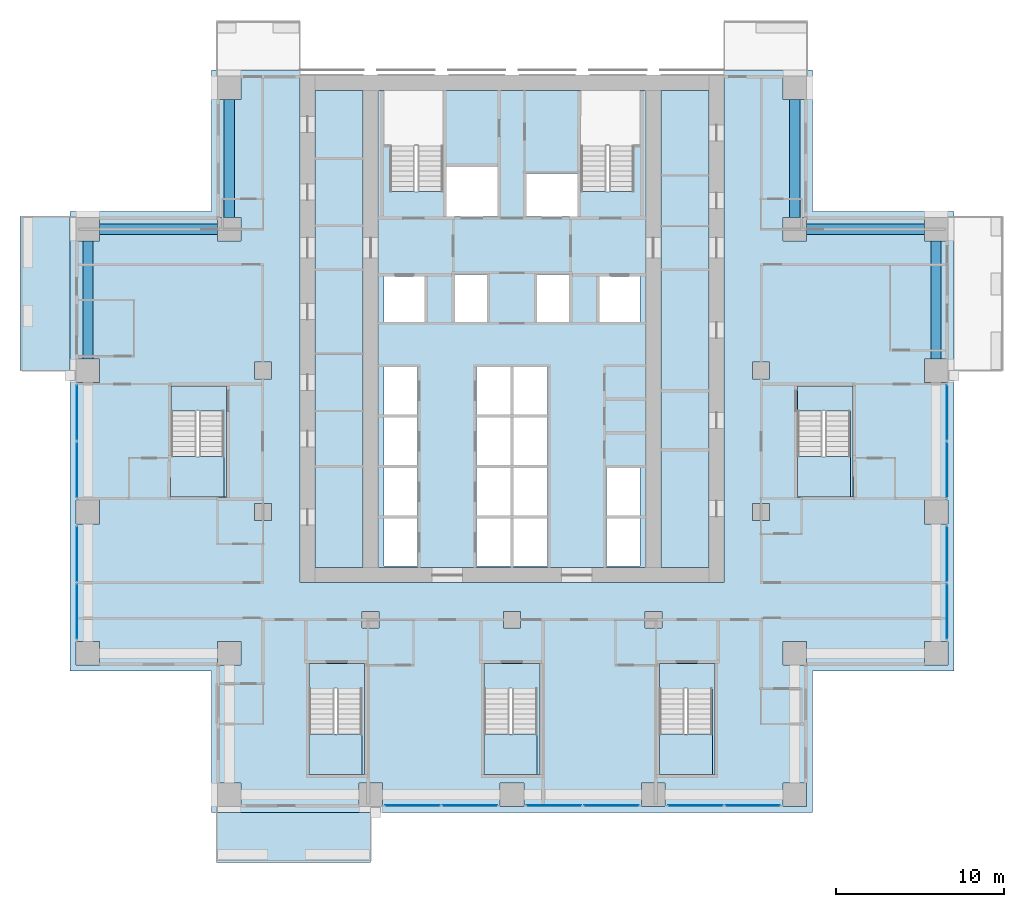
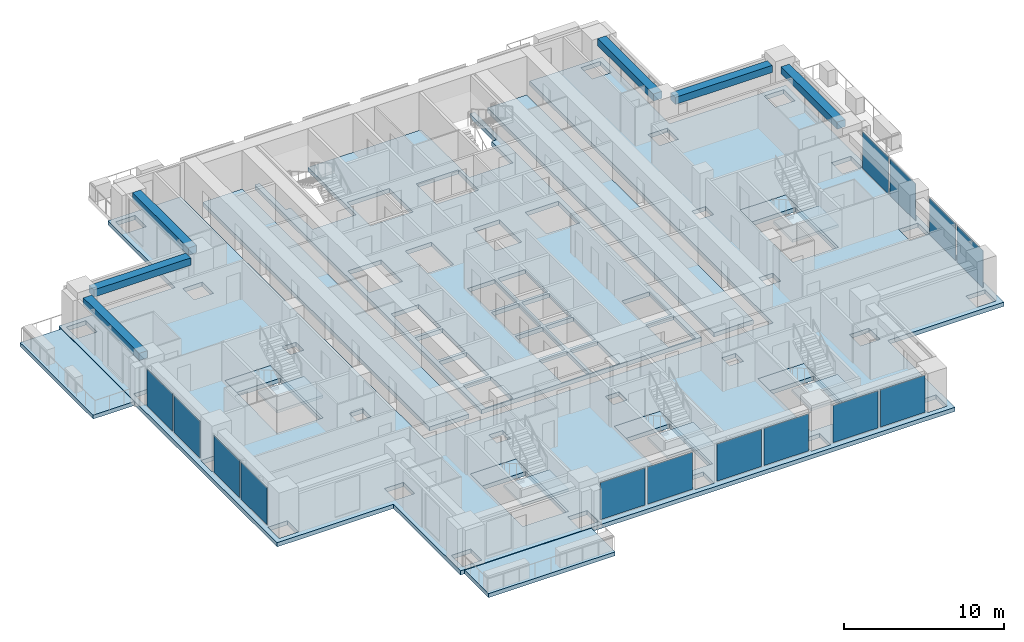
# One storey, part 5 of 16: 16 slabs, 14 plates, 6 beams, 12 elements without a shape of their own.
"""IFC4 building model written with IfcOpenShell, lengths in metres."""

from ifc_helpers import new_model, si_unit, direction, frame, origin, origin_2d, place, context, subcontext, project, spatial, polyline, rectangle, outline, extrude, material, layer, layer_set, material_profile, profile_set, type_object, element, aggregate, save


model = new_model("IFC4")

# Units and contexts
model_context = context("Model", 3, precision=1e-05, world=origin(), true_north=direction((0.0, 1.0)))
body_context = subcontext(model_context, "Body", "Model", "MODEL_VIEW")
ifc_project = project(units=[si_unit("LENGTHUNIT", "METRE"), si_unit("AREAUNIT", "SQUARE_METRE"), si_unit("VOLUMEUNIT", "CUBIC_METRE"), si_unit("PLANEANGLEUNIT", "RADIAN"), si_unit("MASSUNIT", "GRAM", prefix="KILO")], contexts=[model_context])

# Site, building, storey
site_placement = place(None, origin())
site = spatial("IfcSite", under=ifc_project, at=site_placement, CompositionType="ELEMENT")
building_placement = place(site_placement, origin())
building = spatial("IfcBuilding", under=site, at=building_placement, Name="Vermilion Ogive Tower", CompositionType="ELEMENT")
storey_placement = place(building_placement, frame((0.0, 0.0, 72.449951171875)))
storey = spatial("IfcBuildingStorey", under=building, at=storey_placement, Name="L17", CompositionType="ELEMENT", Elevation=72.449951171875)

# Beams
ifc_material_1 = material(Name="Concrete B45", Category="concrete")
ifc_material_profile = material_profile(ifc_material_1, rectangle(XDim=0.60009765625, YDim=0.550048828125, at=origin_2d()), Name="600 x 550")
ifc_profile_set = profile_set([ifc_material_profile], Name="Concrete B45")
beam_type = type_object("IfcBeamType", Name="Edge beam 600 x 550 B45", PredefinedType="BEAM", material=ifc_profile_set)
for number, where, z_axis, x_axis, name in (
    (1, (25.199951171875, 4.89990234375, 2.675048828125), (0.0, 1.0, 0.0), (-1.0, 0.0, 0.0), "L17-EB-9"),
    (2, (24.5, 12.60009765625, 2.675048828125), (-1.0, 0.0, 0.0), (0.0, -1.0, 0.0), "L17-EB-10"),
    (3, (16.800048828125, 13.300048828125, 2.675048828125), (0.0, 1.0, 0.0), (-1.0, 0.0, 0.0), "L17-EB-11"),
    (4, (-16.800048828125, 20.300048828125, 2.675048828125), (0.0, -1.0, 0.0), (1.0, 0.0, 0.0), "L17-EB-12"),
    (5, (-17.5, 12.60009765625, 2.675048828125), (-1.0, 0.0, 0.0), (0.0, -1.0, 0.0), "L17-EB-13"),
    (6, (-25.199951171875, 11.89990234375, 2.675048828125), (0.0, -1.0, 0.0), (1.0, 0.0, 0.0), "L17-EB-14"),
):
    element("IfcBeam", number, at=place(storey_placement, frame(where, z_axis=z_axis, x_axis=x_axis)), inside=storey, type_object=beam_type, Name=name, PredefinedType="BEAM", context=body_context, shape_type="SweptSolid", body=[
        extrude(rectangle(XDim=0.60009765625, YDim=0.550048828125, at=origin_2d()), origin(), (0.0, 0.0, 1.0), 7.0),
    ])

# Slabs
ifc_material_2 = material(Name="Concrete B40", Category="concrete")
ifc_layer_1 = layer(ifc_material_2, 0.300048828125)
ifc_layer_set_1 = layer_set([ifc_layer_1], Name="Balcony slab")
slab_type_1 = type_object("IfcSlabType", Name="Balcony slab", PredefinedType="FLOOR", material=ifc_layer_set_1)
slab_1_placement = place(storey_placement, frame((0.0, 0.0, -0.33984375)))
element("IfcSlab", 7, at=slab_1_placement, inside=storey, type_object=slab_type_1, Name="Balcony slab S01", PredefinedType="FLOOR", context=body_context, shape_type="SweptSolid", body=[
    extrude(outline(polyline([(-17.550048828125, -25.030029296875), (-8.39990234375, -25.030029296875), (-8.39990234375, -22.050048828125), (-17.550048828125, -22.050048828125), (-17.550048828125, -25.030029296875)])), origin(), (0.0, 0.0, 1.0), 0.2998046875),
])
slab_2_placement = place(storey_placement, frame((0.0, 0.0, -0.33984375)))
element("IfcSlab", 8, at=slab_2_placement, inside=storey, type_object=slab_type_1, Name="Balcony slab W01", PredefinedType="FLOOR", context=body_context, shape_type="SweptSolid", body=[
    extrude(outline(polyline([(-29.22998046875, 13.35009765625), (-29.22998046875, 4.199951171875), (-26.25, 4.199951171875), (-26.25, 13.35009765625), (-29.22998046875, 13.35009765625)])), origin(), (0.0, 0.0, 1.0), 0.2998046875),
])

# Curtain wall, plates
ifc_material_3 = material(Name="Low-iron laminated glazing in aluminium frame", Category="aluminium")
curtain_wall_type = type_object("IfcCurtainWallType", Name="Curtain wall CW7", PredefinedType="NOTDEFINED", material=ifc_material_3)
curtain_wall_1_placement = place(storey_placement, origin())
curtain_wall_1 = element("IfcCurtainWall", 9, at=curtain_wall_1_placement, inside=storey, type_object=curtain_wall_type, Name="Glazed skin S2", PredefinedType="NOTDEFINED")
ifc_material_4 = material(Name="Low-iron laminated glazing in aluminium frame", Category="aluminium")
ifc_layer_2 = layer(ifc_material_4, 0.031982421875)
ifc_layer_set_2 = layer_set([ifc_layer_2], Name="CW7 glazing panel 32")
plate_type = type_object("IfcPlateType", Name="CW7 glazing panel 32", PredefinedType="CURTAIN_PANEL", material=ifc_layer_set_2)
plate_1_placement = place(storey_placement, frame((-5.905029296875, -21.64990234375, 0.06005859375), z_axis=(0.0, 0.0, 1.0), x_axis=(1.0, 0.0, 0.0)))
plate_1 = element("IfcPlate", 10, at=plate_1_placement, type_object=plate_type, Name="CW7-S2 panel 1.1", PredefinedType="CURTAIN_PANEL", context=body_context, shape_type="SweptSolid", body=[
    extrude(rectangle(XDim=3.22998046875, YDim=0.031982421875, at=origin_2d()), origin(), (0.0, 0.0, 1.0), 2.830078125),
])
plate_2_placement = place(storey_placement, frame((-2.4951171875, -21.64990234375, 0.06005859375), z_axis=(0.0, 0.0, 1.0), x_axis=(1.0, 0.0, 0.0)))
plate_2 = element("IfcPlate", 11, at=plate_2_placement, type_object=plate_type, Name="CW7-S2 panel 2.1", PredefinedType="CURTAIN_PANEL", context=body_context, shape_type="SweptSolid", body=[
    extrude(rectangle(XDim=3.22998046875, YDim=0.031982421875, at=origin_2d()), origin(), (0.0, 0.0, 1.0), 2.830078125),
])
aggregate(curtain_wall_1, [plate_1, plate_2])

curtain_wall_2_placement = place(storey_placement, origin())
curtain_wall_2 = element("IfcCurtainWall", 12, at=curtain_wall_2_placement, inside=storey, type_object=curtain_wall_type, Name="Glazed skin S3", PredefinedType="NOTDEFINED")
plate_3_placement = place(storey_placement, frame((2.4951171875, -21.64990234375, 0.06005859375), z_axis=(0.0, 0.0, 1.0), x_axis=(1.0, 0.0, 0.0)))
plate_3 = element("IfcPlate", 13, at=plate_3_placement, type_object=plate_type, Name="CW7-S3 panel 1.1", PredefinedType="CURTAIN_PANEL", context=body_context, shape_type="SweptSolid", body=[
    extrude(rectangle(XDim=3.22998046875, YDim=0.031982421875, at=origin_2d()), origin(), (0.0, 0.0, 1.0), 2.830078125),
])
plate_4_placement = place(storey_placement, frame((5.905029296875, -21.64990234375, 0.06005859375), z_axis=(0.0, 0.0, 1.0), x_axis=(1.0, 0.0, 0.0)))
plate_4 = element("IfcPlate", 14, at=plate_4_placement, type_object=plate_type, Name="CW7-S3 panel 2.1", PredefinedType="CURTAIN_PANEL", context=body_context, shape_type="SweptSolid", body=[
    extrude(rectangle(XDim=3.22998046875, YDim=0.031982421875, at=origin_2d()), origin(), (0.0, 0.0, 1.0), 2.830078125),
])
aggregate(curtain_wall_2, [plate_3, plate_4])

curtain_wall_3_placement = place(storey_placement, origin())
curtain_wall_3 = element("IfcCurtainWall", 15, at=curtain_wall_3_placement, inside=storey, type_object=curtain_wall_type, Name="Glazed skin S4", PredefinedType="NOTDEFINED")
plate_5_placement = place(storey_placement, frame((10.89501953125, -21.64990234375, 0.06005859375), z_axis=(0.0, 0.0, 1.0), x_axis=(1.0, 0.0, 0.0)))
plate_5 = element("IfcPlate", 16, at=plate_5_placement, type_object=plate_type, Name="CW7-S4 panel 1.1", PredefinedType="CURTAIN_PANEL", context=body_context, shape_type="SweptSolid", body=[
    extrude(rectangle(XDim=3.22998046875, YDim=0.031982421875, at=origin_2d()), origin(), (0.0, 0.0, 1.0), 2.830078125),
])
plate_6_placement = place(storey_placement, frame((14.304931640625, -21.64990234375, 0.06005859375), z_axis=(0.0, 0.0, 1.0), x_axis=(1.0, 0.0, 0.0)))
plate_6 = element("IfcPlate", 17, at=plate_6_placement, type_object=plate_type, Name="CW7-S4 panel 2.1", PredefinedType="CURTAIN_PANEL", context=body_context, shape_type="SweptSolid", body=[
    extrude(rectangle(XDim=3.22998046875, YDim=0.031982421875, at=origin_2d()), origin(), (0.0, 0.0, 1.0), 2.830078125),
])
aggregate(curtain_wall_3, [plate_5, plate_6])

curtain_wall_4_placement = place(storey_placement, origin())
curtain_wall_4 = element("IfcCurtainWall", 18, at=curtain_wall_4_placement, inside=storey, type_object=curtain_wall_type, Name="Glazed skin E1", PredefinedType="NOTDEFINED")
plate_7_placement = place(storey_placement, frame((25.85009765625, -10.10498046875, 0.06005859375), z_axis=(0.0, 0.0, 1.0), x_axis=(0.0, 1.0, 0.0)))
plate_7 = element("IfcPlate", 19, at=plate_7_placement, type_object=plate_type, Name="CW7-E1 panel 1.1", PredefinedType="CURTAIN_PANEL", context=body_context, shape_type="SweptSolid", body=[
    extrude(rectangle(XDim=3.22998046875, YDim=0.031982421875, at=origin_2d()), origin(), (0.0, 0.0, 1.0), 2.830078125),
])
plate_8_placement = place(storey_placement, frame((25.85009765625, -6.695068359375, 0.06005859375), z_axis=(0.0, 0.0, 1.0), x_axis=(0.0, 1.0, 0.0)))
plate_8 = element("IfcPlate", 20, at=plate_8_placement, type_object=plate_type, Name="CW7-E1 panel 2.1", PredefinedType="CURTAIN_PANEL", context=body_context, shape_type="SweptSolid", body=[
    extrude(rectangle(XDim=3.22998046875, YDim=0.031982421875, at=origin_2d()), origin(), (0.0, 0.0, 1.0), 2.830078125),
])
aggregate(curtain_wall_4, [plate_7, plate_8])

curtain_wall_5_placement = place(storey_placement, origin())
curtain_wall_5 = element("IfcCurtainWall", 21, at=curtain_wall_5_placement, inside=storey, type_object=curtain_wall_type, Name="Glazed skin E2", PredefinedType="NOTDEFINED")
plate_9_placement = place(storey_placement, frame((25.85009765625, -1.705078125, 0.06005859375), z_axis=(0.0, 0.0, 1.0), x_axis=(0.0, 1.0, 0.0)))
plate_9 = element("IfcPlate", 22, at=plate_9_placement, type_object=plate_type, Name="CW7-E2 panel 1.1", PredefinedType="CURTAIN_PANEL", context=body_context, shape_type="SweptSolid", body=[
    extrude(rectangle(XDim=3.22998046875, YDim=0.031982421875, at=origin_2d()), origin(), (0.0, 0.0, 1.0), 2.830078125),
])
plate_10_placement = place(storey_placement, frame((25.85009765625, 1.705078125, 0.06005859375), z_axis=(0.0, 0.0, 1.0), x_axis=(0.0, 1.0, 0.0)))
plate_10 = element("IfcPlate", 23, at=plate_10_placement, type_object=plate_type, Name="CW7-E2 panel 2.1", PredefinedType="CURTAIN_PANEL", context=body_context, shape_type="SweptSolid", body=[
    extrude(rectangle(XDim=3.22998046875, YDim=0.031982421875, at=origin_2d()), origin(), (0.0, 0.0, 1.0), 2.830078125),
])
aggregate(curtain_wall_5, [plate_9, plate_10])

curtain_wall_6_placement = place(storey_placement, origin())
curtain_wall_6 = element("IfcCurtainWall", 24, at=curtain_wall_6_placement, inside=storey, type_object=curtain_wall_type, Name="Glazed skin W2", PredefinedType="NOTDEFINED")
plate_11_placement = place(storey_placement, frame((-25.85009765625, 1.705078125, 0.06005859375), z_axis=(0.0, 0.0, 1.0), x_axis=(0.0, -1.0, 0.0)))
plate_11 = element("IfcPlate", 25, at=plate_11_placement, type_object=plate_type, Name="CW7-W2 panel 1.1", PredefinedType="CURTAIN_PANEL", context=body_context, shape_type="SweptSolid", body=[
    extrude(rectangle(XDim=3.22998046875, YDim=0.031982421875, at=origin_2d()), origin(), (0.0, 0.0, 1.0), 2.830078125),
])
plate_12_placement = place(storey_placement, frame((-25.85009765625, -1.705078125, 0.06005859375), z_axis=(0.0, 0.0, 1.0), x_axis=(0.0, -1.0, 0.0)))
plate_12 = element("IfcPlate", 26, at=plate_12_placement, type_object=plate_type, Name="CW7-W2 panel 2.1", PredefinedType="CURTAIN_PANEL", context=body_context, shape_type="SweptSolid", body=[
    extrude(rectangle(XDim=3.22998046875, YDim=0.031982421875, at=origin_2d()), origin(), (0.0, 0.0, 1.0), 2.830078125),
])
aggregate(curtain_wall_6, [plate_11, plate_12])

curtain_wall_7_placement = place(storey_placement, origin())
curtain_wall_7 = element("IfcCurtainWall", 27, at=curtain_wall_7_placement, inside=storey, type_object=curtain_wall_type, Name="Glazed skin W3", PredefinedType="NOTDEFINED")
plate_13_placement = place(storey_placement, frame((-25.85009765625, -6.695068359375, 0.06005859375), z_axis=(0.0, 0.0, 1.0), x_axis=(0.0, -1.0, 0.0)))
plate_13 = element("IfcPlate", 28, at=plate_13_placement, type_object=plate_type, Name="CW7-W3 panel 1.1", PredefinedType="CURTAIN_PANEL", context=body_context, shape_type="SweptSolid", body=[
    extrude(rectangle(XDim=3.22998046875, YDim=0.031982421875, at=origin_2d()), origin(), (0.0, 0.0, 1.0), 2.830078125),
])
plate_14_placement = place(storey_placement, frame((-25.85009765625, -10.10498046875, 0.06005859375), z_axis=(0.0, 0.0, 1.0), x_axis=(0.0, -1.0, 0.0)))
plate_14 = element("IfcPlate", 29, at=plate_14_placement, type_object=plate_type, Name="CW7-W3 panel 2.1", PredefinedType="CURTAIN_PANEL", context=body_context, shape_type="SweptSolid", body=[
    extrude(rectangle(XDim=3.22998046875, YDim=0.031982421875, at=origin_2d()), origin(), (0.0, 0.0, 1.0), 2.830078125),
])
aggregate(curtain_wall_7, [plate_13, plate_14])

# Slabs
ifc_material_5 = material(Name="Concrete B40", Category="concrete")
ifc_layer_3 = layer(ifc_material_5, 0.320068359375)
ifc_layer_set_3 = layer_set([ifc_layer_3], Name="Core floor slab 320 B40")
slab_type_2 = type_object("IfcSlabType", Name="Core floor slab 320 B40", PredefinedType="FLOOR", material=ifc_layer_set_3)
slab_3_placement = place(storey_placement, frame((0.0, 0.0, -0.320068359375)))
element("IfcSlab", 30, at=slab_3_placement, inside=storey, type_object=slab_type_2, Name="L17-CK-FS1", PredefinedType="FLOOR", context=body_context, shape_type="SweptSolid", body=[
    extrude(outline(polyline([(-8.85400390625, -7.49609375), (-11.696044921875, -7.49609375), (-11.696044921875, 20.845947265625), (-8.85400390625, 20.845947265625), (-8.85400390625, -7.49609375)])), origin(), (0.0, 0.0, 1.0), 0.320068359375),
])
slab_4_placement = place(storey_placement, frame((0.0, 0.0, -0.320068359375)))
element("IfcSlab", 31, at=slab_4_placement, inside=storey, type_object=slab_type_2, Name="L17-CK-FS2", PredefinedType="FLOOR", context=body_context, shape_type="SweptSolid", body=[
    extrude(outline(polyline([(5.75, 14.85009765625), (5.60009765625, 14.85009765625), (5.60009765625, 14.85205078125), (4.10009765625, 14.85205078125), (4.10009765625, 17.550048828125), (4.074951171875, 17.550048828125), (4.074951171875, 20.845947265625), (-4.10009765625, 20.845947265625), (-4.10009765625, 14.85205078125), (-5.60009765625, 14.85205078125), (-5.60009765625, 14.85009765625), (-5.75, 14.85009765625), (-5.75, 14.85205078125), (-7.25, 14.85205078125), (-7.25, 17.550048828125), (-7.60009765625, 17.550048828125), (-7.60009765625, 20.845947265625), (-7.946044921875, 20.845947265625), (-7.946044921875, -7.49609375), (7.946044921875, -7.49609375), (7.946044921875, 20.845947265625), (7.60009765625, 20.845947265625), (7.60009765625, 17.550048828125), (7.25, 17.550048828125), (7.25, 14.85205078125), (5.75, 14.85205078125), (5.75, 14.85009765625)]), holes=[polyline([(-7.60009765625, -4.60009765625), (-5.60009765625, -4.60009765625), (-5.60009765625, -7.39990234375), (-7.60009765625, -7.39990234375), (-7.60009765625, -4.60009765625)]), polyline([(-2.10009765625, -4.60009765625), (-0.10009765625, -4.60009765625), (-0.10009765625, -7.39990234375), (-2.10009765625, -7.39990234375), (-2.10009765625, -4.60009765625)]), polyline([(-7.60009765625, -4.39990234375), (-7.60009765625, -1.60009765625), (-5.60009765625, -1.60009765625), (-5.60009765625, -4.39990234375), (-7.60009765625, -4.39990234375)]), polyline([(-2.10009765625, -1.60009765625), (-0.10009765625, -1.60009765625), (-0.10009765625, -4.39990234375), (-2.10009765625, -4.39990234375), (-2.10009765625, -1.60009765625)]), polyline([(-7.60009765625, -1.39990234375), (-7.60009765625, 1.39990234375), (-5.60009765625, 1.39990234375), (-5.60009765625, -1.39990234375), (-7.60009765625, -1.39990234375)]), polyline([(-2.10009765625, 1.39990234375), (-0.10009765625, 1.39990234375), (-0.10009765625, -1.39990234375), (-2.10009765625, -1.39990234375), (-2.10009765625, 1.39990234375)]), polyline([(-7.60009765625, 4.39990234375), (-5.60009765625, 4.39990234375), (-5.60009765625, 1.60009765625), (-7.60009765625, 1.60009765625), (-7.60009765625, 4.39990234375)]), polyline([(-2.10009765625, 4.39990234375), (-0.10009765625, 4.39990234375), (-0.10009765625, 1.60009765625), (-2.10009765625, 1.60009765625), (-2.10009765625, 4.39990234375)]), polyline([(-7.60009765625, 9.800048828125), (-5.199951171875, 9.800048828125), (-5.199951171875, 7.10009765625), (-7.60009765625, 7.10009765625), (-7.60009765625, 9.800048828125)]), polyline([(-3.39990234375, 9.89990234375), (-1.5, 9.89990234375), (-1.5, 7.10009765625), (-3.39990234375, 7.10009765625), (-3.39990234375, 9.89990234375)]), polyline([(-3.89990234375, 16.300048828125), (-0.85009765625, 16.300048828125), (-0.85009765625, 13.35009765625), (-3.89990234375, 13.35009765625), (-3.89990234375, 16.300048828125)]), polyline([(0.10009765625, -4.60009765625), (2.10009765625, -4.60009765625), (2.10009765625, -7.39990234375), (0.10009765625, -7.39990234375), (0.10009765625, -4.60009765625)]), polyline([(5.60009765625, -4.60009765625), (7.60009765625, -4.60009765625), (7.60009765625, -7.39990234375), (5.60009765625, -7.39990234375), (5.60009765625, -4.60009765625)]), polyline([(0.10009765625, -1.60009765625), (2.10009765625, -1.60009765625), (2.10009765625, -4.39990234375), (0.10009765625, -4.39990234375), (0.10009765625, -1.60009765625)]), polyline([(5.60009765625, -1.60009765625), (7.60009765625, -1.60009765625), (7.60009765625, -4.39990234375), (5.60009765625, -4.39990234375), (5.60009765625, -1.60009765625)]), polyline([(0.10009765625, 1.39990234375), (2.10009765625, 1.39990234375), (2.10009765625, -1.39990234375), (0.10009765625, -1.39990234375), (0.10009765625, 1.39990234375)]), polyline([(0.10009765625, 4.39990234375), (2.10009765625, 4.39990234375), (2.10009765625, 1.60009765625), (0.10009765625, 1.60009765625), (0.10009765625, 4.39990234375)]), polyline([(5.199951171875, 9.800048828125), (7.60009765625, 9.800048828125), (7.60009765625, 7.10009765625), (5.199951171875, 7.10009765625), (5.199951171875, 9.800048828125)]), polyline([(1.5, 9.89990234375), (3.39990234375, 9.89990234375), (3.39990234375, 7.10009765625), (1.5, 7.10009765625), (1.5, 9.89990234375)]), polyline([(0.85009765625, 15.89990234375), (3.89990234375, 15.89990234375), (3.89990234375, 13.35009765625), (0.85009765625, 13.35009765625), (0.85009765625, 15.89990234375)])]), origin(), (0.0, 0.0, 1.0), 0.320068359375),
])
slab_5_placement = place(storey_placement, frame((0.0, 0.0, -0.320068359375)))
element("IfcSlab", 32, at=slab_5_placement, inside=storey, type_object=slab_type_2, Name="L17-CK-FS3", PredefinedType="FLOOR", context=body_context, shape_type="SweptSolid", body=[
    extrude(outline(polyline([(8.85400390625, 20.845947265625), (11.696044921875, 20.845947265625), (11.696044921875, -7.49609375), (8.85400390625, -7.49609375), (8.85400390625, 20.845947265625)])), origin(), (0.0, 0.0, 1.0), 0.320068359375),
])
slab_6_placement = place(storey_placement, frame((0.0, 0.0, -0.320068359375)))
element("IfcSlab", 33, at=slab_6_placement, inside=storey, type_object=slab_type_2, Name="L17-SF-ST3-1", PredefinedType="FLOOR", context=body_context, shape_type="SweptSolid", body=[
    extrude(outline(polyline([(-12.050048828125, -13.199951171875), (-12.050048828125, -14.701904296875), (-10.550048828125, -14.701904296875), (-10.550048828125, -14.699951171875), (-10.39990234375, -14.699951171875), (-10.39990234375, -14.701904296875), (-8.89990234375, -14.701904296875), (-8.89990234375, -19.800048828125), (-8.75, -19.800048828125), (-8.75, -13.199951171875), (-12.050048828125, -13.199951171875)])), origin(), (0.0, 0.0, 1.0), 0.320068359375),
])
slab_7_placement = place(storey_placement, frame((0.0, 0.0, -0.320068359375)))
element("IfcSlab", 34, at=slab_7_placement, inside=storey, type_object=slab_type_2, Name="L17-SF-ST4-1", PredefinedType="FLOOR", context=body_context, shape_type="SweptSolid", body=[
    extrude(outline(polyline([(-1.64990234375, -13.199951171875), (-1.64990234375, -14.701904296875), (-0.14990234375, -14.701904296875), (-0.14990234375, -14.699951171875), (0.0, -14.699951171875), (0.0, -14.701904296875), (1.5, -14.701904296875), (1.5, -19.800048828125), (1.64990234375, -19.800048828125), (1.64990234375, -13.199951171875), (-1.64990234375, -13.199951171875)])), origin(), (0.0, 0.0, 1.0), 0.320068359375),
])
slab_8_placement = place(storey_placement, frame((0.0, 0.0, -0.320068359375)))
element("IfcSlab", 35, at=slab_8_placement, inside=storey, type_object=slab_type_2, Name="L17-SF-ST5-1", PredefinedType="FLOOR", context=body_context, shape_type="SweptSolid", body=[
    extrude(outline(polyline([(8.75, -13.199951171875), (8.75, -14.701904296875), (10.25, -14.701904296875), (10.25, -14.699951171875), (10.39990234375, -14.699951171875), (10.39990234375, -14.701904296875), (11.89990234375, -14.701904296875), (11.89990234375, -19.800048828125), (12.050048828125, -19.800048828125), (12.050048828125, -13.199951171875), (8.75, -13.199951171875)])), origin(), (0.0, 0.0, 1.0), 0.320068359375),
])
slab_9_placement = place(storey_placement, frame((0.0, 0.0, -0.320068359375)))
element("IfcSlab", 36, at=slab_9_placement, inside=storey, type_object=slab_type_2, Name="L17-SF-ST8-1", PredefinedType="FLOOR", context=body_context, shape_type="SweptSolid", body=[
    extrude(outline(polyline([(16.949951171875, 3.300048828125), (16.949951171875, 1.798095703125), (18.449951171875, 1.798095703125), (18.449951171875, 1.800048828125), (18.60009765625, 1.800048828125), (18.60009765625, 1.798095703125), (20.10009765625, 1.798095703125), (20.10009765625, -3.300048828125), (20.25, -3.300048828125), (20.25, 3.300048828125), (16.949951171875, 3.300048828125)])), origin(), (0.0, 0.0, 1.0), 0.320068359375),
])
slab_10_placement = place(storey_placement, frame((0.0, 0.0, -0.320068359375)))
element("IfcSlab", 37, at=slab_10_placement, inside=storey, type_object=slab_type_2, Name="L17-SF-ST9-1", PredefinedType="FLOOR", context=body_context, shape_type="SweptSolid", body=[
    extrude(outline(polyline([(-20.25, 3.300048828125), (-20.25, 1.798095703125), (-18.75, 1.798095703125), (-18.75, 1.800048828125), (-18.60009765625, 1.800048828125), (-18.60009765625, 1.798095703125), (-17.10009765625, 1.798095703125), (-17.10009765625, -3.300048828125), (-16.949951171875, -3.300048828125), (-16.949951171875, 3.300048828125), (-20.25, 3.300048828125)])), origin(), (0.0, 0.0, 1.0), 0.320068359375),
])
ifc_material_6 = material(Name="Concrete B45", Category="concrete")
ifc_layer_4 = layer(ifc_material_6, 0.320068359375)
ifc_layer_set_4 = layer_set([ifc_layer_4], Name="Post-tensioned flat plate 320 B45")
slab_type_3 = type_object("IfcSlabType", Name="Post-tensioned flat plate 320 B45", PredefinedType="FLOOR", material=ifc_layer_set_4)
slab_11_placement = place(storey_placement, frame((0.0, 0.0, -0.320068359375)))
element("IfcSlab", 38, at=slab_11_placement, inside=storey, type_object=slab_type_3, Name="L17-SL-1", PredefinedType="FLOOR", context=body_context, shape_type="SweptSolid", body=[
    extrude(outline(polyline([(-26.25, 13.64990234375), (-26.25, -13.64990234375), (-17.85009765625, -13.64990234375), (-17.85009765625, -22.050048828125), (17.85009765625, -22.050048828125), (17.85009765625, -13.64990234375), (26.25, -13.64990234375), (26.25, 13.64990234375), (17.85009765625, 13.64990234375), (17.85009765625, 22.050048828125), (12.60009765625, 22.050048828125), (12.60009765625, -8.39990234375), (-12.60009765625, -8.39990234375), (-12.60009765625, 22.050048828125), (-17.85009765625, 22.050048828125), (-17.85009765625, 13.64990234375), (-26.25, 13.64990234375)]), holes=[polyline([(24.5, -3.5), (25.89990234375, -3.5), (25.89990234375, -4.89990234375), (24.5, -4.89990234375), (24.5, -3.5)]), polyline([(24.5, -11.89990234375), (25.89990234375, -11.89990234375), (25.89990234375, -13.300048828125), (24.5, -13.300048828125), (24.5, -11.89990234375)]), polyline([(25.89990234375, 13.300048828125), (25.89990234375, 11.89990234375), (24.5, 11.89990234375), (24.5, 13.300048828125), (25.89990234375, 13.300048828125)]), polyline([(25.89990234375, 4.89990234375), (25.89990234375, 3.5), (24.5, 3.5), (24.5, 4.89990234375), (25.89990234375, 4.89990234375)]), polyline([(20.275146484375, -3.2998046875), (20.25, -3.2998046875), (20.25, -3.300048828125), (16.949951171875, -3.300048828125), (16.949951171875, 3.300048828125), (20.25, 3.300048828125), (20.25, -0.89990234375), (20.275146484375, -0.89990234375), (20.275146484375, -3.2998046875)]), polyline([(16.10009765625, -11.89990234375), (17.5, -11.89990234375), (17.5, -13.300048828125), (16.10009765625, -13.300048828125), (16.10009765625, -11.89990234375)]), polyline([(17.5, 21.699951171875), (17.5, 20.300048828125), (16.10009765625, 20.300048828125), (16.10009765625, 21.699951171875), (17.5, 21.699951171875)]), polyline([(16.10009765625, -20.300048828125), (17.5, -20.300048828125), (17.5, -21.699951171875), (16.10009765625, -21.699951171875), (16.10009765625, -20.300048828125)]), polyline([(16.10009765625, 13.300048828125), (17.5, 13.300048828125), (17.5, 11.89990234375), (16.10009765625, 11.89990234375), (16.10009765625, 13.300048828125)]), polyline([(14.300048828125, 4.699951171875), (15.300048828125, 4.699951171875), (15.300048828125, 3.699951171875), (14.300048828125, 3.699951171875), (14.300048828125, 4.699951171875)]), polyline([(15.300048828125, -3.699951171875), (15.300048828125, -4.699951171875), (14.300048828125, -4.699951171875), (14.300048828125, -3.699951171875), (15.300048828125, -3.699951171875)]), polyline([(8.75, -13.199951171875), (12.050048828125, -13.199951171875), (12.050048828125, -19.800048828125), (8.75, -19.800048828125), (8.75, -13.199951171875)]), polyline([(7.699951171875, -20.300048828125), (9.10009765625, -20.300048828125), (9.10009765625, -21.699951171875), (7.699951171875, -21.699951171875), (7.699951171875, -20.300048828125)]), polyline([(8.89990234375, -10.10009765625), (8.89990234375, -11.10009765625), (7.89990234375, -11.10009765625), (7.89990234375, -10.10009765625), (8.89990234375, -10.10009765625)]), polyline([(-1.64990234375, -13.199951171875), (1.64990234375, -13.199951171875), (1.64990234375, -19.800048828125), (-1.64990234375, -19.800048828125), (-1.64990234375, -13.199951171875)]), polyline([(-0.699951171875, -20.300048828125), (0.699951171875, -20.300048828125), (0.699951171875, -21.699951171875), (-0.699951171875, -21.699951171875), (-0.699951171875, -20.300048828125)]), polyline([(-0.5, -10.10009765625), (0.5, -10.10009765625), (0.5, -11.10009765625), (-0.5, -11.10009765625), (-0.5, -10.10009765625)]), polyline([(-9.10009765625, -20.300048828125), (-7.699951171875, -20.300048828125), (-7.699951171875, -21.699951171875), (-9.10009765625, -21.699951171875), (-9.10009765625, -20.300048828125)]), polyline([(-8.89990234375, -10.10009765625), (-7.89990234375, -10.10009765625), (-7.89990234375, -11.10009765625), (-8.89990234375, -11.10009765625), (-8.89990234375, -10.10009765625)]), polyline([(-12.050048828125, -13.199951171875), (-8.75, -13.199951171875), (-8.75, -19.800048828125), (-12.050048828125, -19.800048828125), (-12.050048828125, -13.199951171875)]), polyline([(-15.300048828125, 4.699951171875), (-14.300048828125, 4.699951171875), (-14.300048828125, 3.699951171875), (-15.300048828125, 3.699951171875), (-15.300048828125, 4.699951171875)]), polyline([(-14.300048828125, -3.699951171875), (-14.300048828125, -4.699951171875), (-15.300048828125, -4.699951171875), (-15.300048828125, -3.699951171875), (-14.300048828125, -3.699951171875)]), polyline([(-17.5, 13.300048828125), (-16.10009765625, 13.300048828125), (-16.10009765625, 11.89990234375), (-17.5, 11.89990234375), (-17.5, 13.300048828125)]), polyline([(-17.5, -11.89990234375), (-16.10009765625, -11.89990234375), (-16.10009765625, -13.300048828125), (-17.5, -13.300048828125), (-17.5, -11.89990234375)]), polyline([(-17.5, -20.300048828125), (-16.10009765625, -20.300048828125), (-16.10009765625, -21.699951171875), (-17.5, -21.699951171875), (-17.5, -20.300048828125)]), polyline([(-16.10009765625, 21.699951171875), (-16.10009765625, 20.300048828125), (-17.5, 20.300048828125), (-17.5, 21.699951171875), (-16.10009765625, 21.699951171875)]), polyline([(-20.25, -3.300048828125), (-20.25, -3.2998046875), (-20.275146484375, -3.2998046875), (-20.275146484375, -0.89990234375), (-20.25, -0.89990234375), (-20.25, 3.300048828125), (-16.949951171875, 3.300048828125), (-16.949951171875, -3.300048828125), (-20.25, -3.300048828125)]), polyline([(-24.5, 4.89990234375), (-24.5, 3.5), (-25.89990234375, 3.5), (-25.89990234375, 4.89990234375), (-24.5, 4.89990234375)]), polyline([(-25.89990234375, 13.300048828125), (-24.5, 13.300048828125), (-24.5, 11.89990234375), (-25.89990234375, 11.89990234375), (-25.89990234375, 13.300048828125)]), polyline([(-25.89990234375, -3.5), (-24.5, -3.5), (-24.5, -4.89990234375), (-25.89990234375, -4.89990234375), (-25.89990234375, -3.5)]), polyline([(-25.89990234375, -11.89990234375), (-24.5, -11.89990234375), (-24.5, -13.300048828125), (-25.89990234375, -13.300048828125), (-25.89990234375, -11.89990234375)])]), origin(), (0.0, 0.0, 1.0), 0.320068359375),
])

# Stair, slab
ifc_material_7 = material(Name="Concrete B40", Category="concrete")
stair_type = type_object("IfcStairType", Name="Exit stair 1500", PredefinedType="HALF_TURN_STAIR", material=ifc_material_7)
stair_1_placement = place(storey_placement, origin())
stair_1 = element("IfcStair", 39, at=stair_1_placement, inside=storey, type_object=stair_type, Name="L17 Exit Stair ST3", PredefinedType="HALF_TURN_STAIR")
ifc_material_8 = material(Name="Concrete B40", Category="concrete")
ifc_layer_5 = layer(ifc_material_8, 0.199951171875)
ifc_layer_set_5 = layer_set([ifc_layer_5], Name="Stair landing 200")
slab_type_4 = type_object("IfcSlabType", Name="Stair landing 200", PredefinedType="LANDING", material=ifc_layer_set_5)
slab_12_placement = place(storey_placement, frame((0.0, 0.0, 1.525146484375)))
slab_12 = element("IfcSlab", 40, at=slab_12_placement, type_object=slab_type_4, Name="ST3 landing 1", PredefinedType="LANDING", context=body_context, shape_type="SweptSolid", body=[
    extrude(outline(polyline([(-8.75, -17.39990234375), (-8.89990234375, -17.39990234375), (-8.89990234375, -17.39794921875), (-10.39990234375, -17.39794921875), (-10.39990234375, -17.39990234375), (-10.550048828125, -17.39990234375), (-10.550048828125, -17.39794921875), (-12.050048828125, -17.39794921875), (-12.050048828125, -17.402099609375), (-12.0498046875, -17.402099609375), (-12.0498046875, -19.7998046875), (-8.75, -19.7998046875), (-8.75, -17.39990234375)])), origin(), (0.0, 0.0, 1.0), 0.199951171875),
])
aggregate(stair_1, [slab_12])

stair_2_placement = place(storey_placement, origin())
stair_2 = element("IfcStair", 41, at=stair_2_placement, inside=storey, type_object=stair_type, Name="L17 Exit Stair ST4", PredefinedType="HALF_TURN_STAIR")
slab_13_placement = place(storey_placement, frame((0.0, 0.0, 1.525146484375)))
slab_13 = element("IfcSlab", 42, at=slab_13_placement, type_object=slab_type_4, Name="ST4 landing 1", PredefinedType="LANDING", context=body_context, shape_type="SweptSolid", body=[
    extrude(outline(polyline([(1.64990234375, -17.39990234375), (1.5, -17.39990234375), (1.5, -17.39794921875), (0.0, -17.39794921875), (0.0, -17.39990234375), (-0.14990234375, -17.39990234375), (-0.14990234375, -17.39794921875), (-1.64990234375, -17.39794921875), (-1.64990234375, -19.7998046875), (1.64990234375, -19.7998046875), (1.64990234375, -17.39990234375)])), origin(), (0.0, 0.0, 1.0), 0.199951171875),
])
aggregate(stair_2, [slab_13])

stair_3_placement = place(storey_placement, origin())
stair_3 = element("IfcStair", 43, at=stair_3_placement, inside=storey, type_object=stair_type, Name="L17 Exit Stair ST5", PredefinedType="HALF_TURN_STAIR")
slab_14_placement = place(storey_placement, frame((0.0, 0.0, 1.525146484375)))
slab_14 = element("IfcSlab", 44, at=slab_14_placement, type_object=slab_type_4, Name="ST5 landing 1", PredefinedType="LANDING", context=body_context, shape_type="SweptSolid", body=[
    extrude(outline(polyline([(12.0498046875, -17.39990234375), (11.89990234375, -17.39990234375), (11.89990234375, -17.39794921875), (10.39990234375, -17.39794921875), (10.39990234375, -17.39990234375), (10.25, -17.39990234375), (10.25, -17.39794921875), (8.75, -17.39794921875), (8.75, -17.39990234375), (8.75, -17.39990234375), (8.75, -19.7998046875), (12.0498046875, -19.7998046875), (12.0498046875, -17.39990234375)])), origin(), (0.0, 0.0, 1.0), 0.199951171875),
])
aggregate(stair_3, [slab_14])

stair_4_placement = place(storey_placement, origin())
stair_4 = element("IfcStair", 45, at=stair_4_placement, inside=storey, type_object=stair_type, Name="L17 Exit Stair ST8", PredefinedType="HALF_TURN_STAIR")
slab_15_placement = place(storey_placement, frame((0.0, 0.0, 1.525146484375)))
slab_15 = element("IfcSlab", 46, at=slab_15_placement, type_object=slab_type_4, Name="ST8 landing 1", PredefinedType="LANDING", context=body_context, shape_type="SweptSolid", body=[
    extrude(outline(polyline([(20.275146484375, -0.89990234375), (20.10009765625, -0.89990234375), (20.10009765625, -0.89794921875), (18.60009765625, -0.89794921875), (18.60009765625, -0.89990234375), (18.449951171875, -0.89990234375), (18.449951171875, -0.89794921875), (16.949951171875, -0.89794921875), (16.949951171875, -0.902099609375), (16.9501953125, -0.902099609375), (16.9501953125, -3.2998046875), (20.275146484375, -3.2998046875), (20.275146484375, -0.89990234375)])), origin(), (0.0, 0.0, 1.0), 0.199951171875),
])
aggregate(stair_4, [slab_15])

stair_5_placement = place(storey_placement, origin())
stair_5 = element("IfcStair", 47, at=stair_5_placement, inside=storey, type_object=stair_type, Name="L17 Exit Stair ST9", PredefinedType="HALF_TURN_STAIR")
slab_16_placement = place(storey_placement, frame((0.0, 0.0, 1.525146484375)))
slab_16 = element("IfcSlab", 48, at=slab_16_placement, type_object=slab_type_4, Name="ST9 landing 1", PredefinedType="LANDING", context=body_context, shape_type="SweptSolid", body=[
    extrude(outline(polyline([(-16.9501953125, -0.89990234375), (-17.10009765625, -0.89990234375), (-17.10009765625, -0.89794921875), (-18.60009765625, -0.89794921875), (-18.60009765625, -0.89990234375), (-18.75, -0.89990234375), (-18.75, -0.89794921875), (-20.25, -0.89794921875), (-20.25, -0.89990234375), (-20.275146484375, -0.89990234375), (-20.275146484375, -3.2998046875), (-16.9501953125, -3.2998046875), (-16.9501953125, -0.89990234375)])), origin(), (0.0, 0.0, 1.0), 0.199951171875),
])
aggregate(stair_5, [slab_16])

save(model, "model.ifc")
